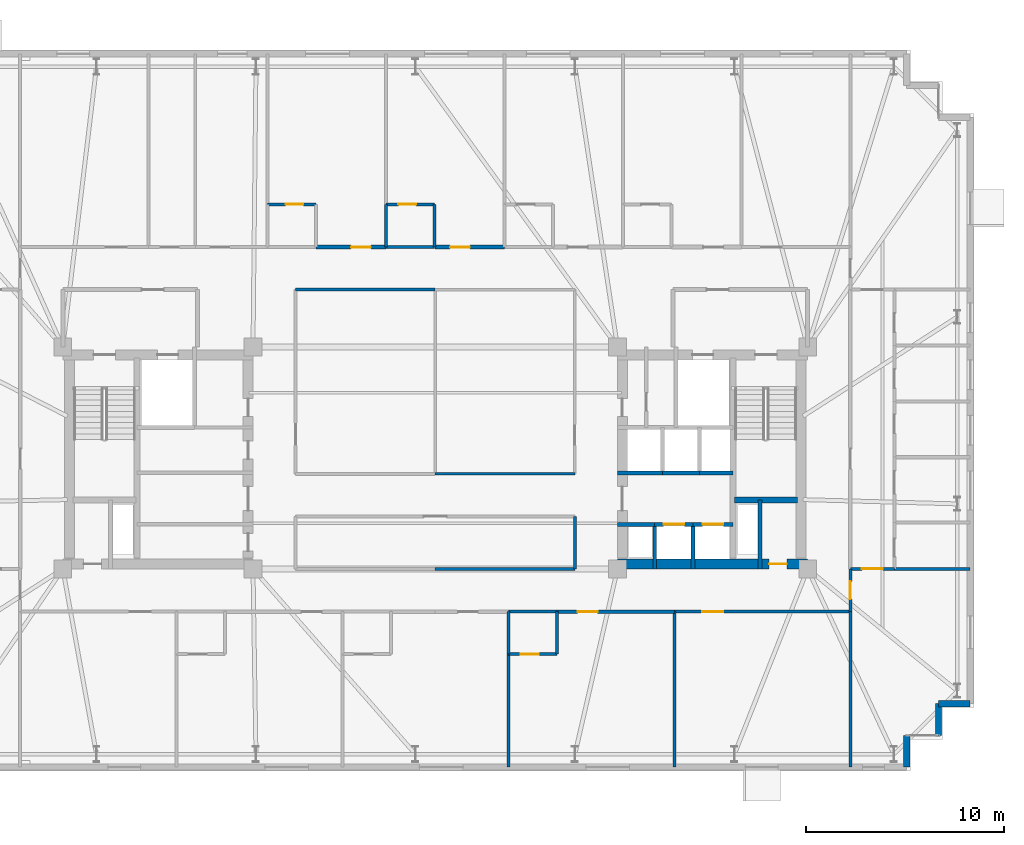
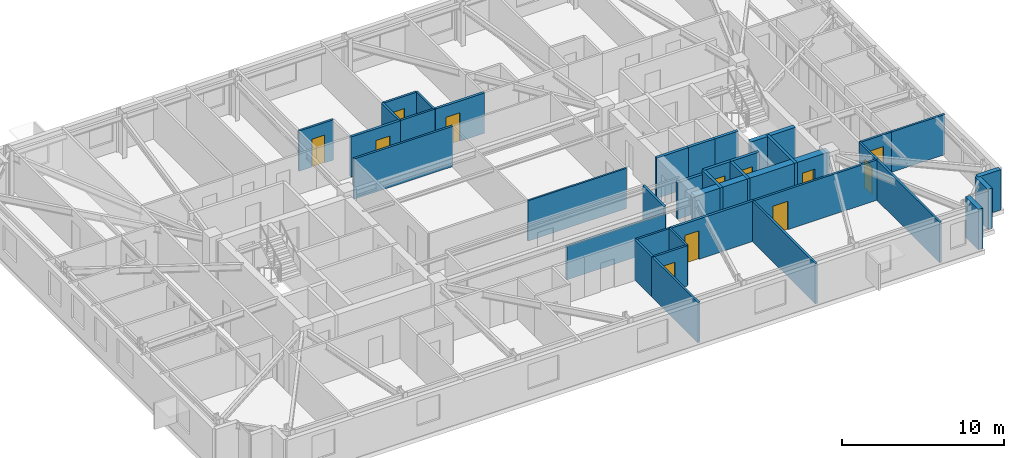
# One storey, part 13 of 19: 37 walls, 12 doors, 12 openings.
"""IFC4 building model written with IfcOpenShell, lengths in metres."""

from ifc_helpers import new_model, si_unit, direction, frame, frame_2d, origin, place, context, subcontext, project, spatial, rectangle, extrude, material, layer, layer_set, type_object, element, fill, save


model = new_model("IFC4")

# Units and contexts
model_context = context("Model", 3, precision=1e-05, world=origin(), true_north=direction((0.0, 1.0)))
body_context = subcontext(model_context, "Body", "Model", "MODEL_VIEW")
ifc_project = project(units=[si_unit("LENGTHUNIT", "METRE"), si_unit("AREAUNIT", "SQUARE_METRE"), si_unit("VOLUMEUNIT", "CUBIC_METRE"), si_unit("PLANEANGLEUNIT", "RADIAN"), si_unit("MASSUNIT", "GRAM", prefix="KILO")], contexts=[model_context])

# Site, building, storey
site_placement = place(None, origin())
site = spatial("IfcSite", under=ifc_project, at=site_placement, CompositionType="ELEMENT")
building_placement = place(site_placement, origin())
building = spatial("IfcBuilding", under=site, at=building_placement, Name="Qobustan Lattice House", CompositionType="ELEMENT")
storey_placement = place(building_placement, frame((0.0, 0.0, 137.699951171875)))
storey = spatial("IfcBuildingStorey", under=building, at=storey_placement, Name="L38", CompositionType="ELEMENT", Elevation=137.699951171875)

# Wall, opening, door
ifc_material_1 = material(Name="Concrete C50/60", Category="concrete")
ifc_layer_1 = layer(ifc_material_1, 0.5)
ifc_layer_set_1 = layer_set([ifc_layer_1], Name="Concrete C50/60")
wall_type_1 = type_object("IfcWallType", Name="WAL-CORE-500", PredefinedType="SHEAR", material=ifc_layer_set_1)
wall_1_placement = place(storey_placement, frame((9.199951171875, -5.35009765625, 0.0), z_axis=(0.0, 0.0, 1.0), x_axis=(1.0, 0.0, 0.0)))
wall_1 = element("IfcWall", 1, at=wall_1_placement, inside=storey, type_object=wall_type_1, Name="L38 split-core shear wall CE-S", PredefinedType="SHEAR", context=body_context, shape_type="SweptSolid", body=[
    extrude(rectangle(XDim=9.60009765625, YDim=0.5, at=frame_2d((4.800048828125, 0.0))), origin(), (0.0, 0.0, 1.0), 3.0400390625),
])
opening_1_placement = place(wall_1_placement, frame((7.64990234375, 0.0, 0.0)))
opening_1 = element("IfcOpeningElement", 2, at=opening_1_placement, cuts=wall_1, Name="Opening RD-01", PredefinedType="OPENING", context=body_context, shape_type="SweptSolid", body=[
    extrude(rectangle(XDim=0.89990234375, YDim=2.10009765625, at=frame_2d((0.449951171875, 1.050048828125))), frame((0.0, 0.260009765625, 0.0), z_axis=(0.0, -1.0, 0.0), x_axis=(1.0, 0.0, 0.0)), (0.0, 0.0, 1.0), 0.52001953125),
])
ifc_material_2 = material(Name="Persian walnut timber and steel frame door", Category="steel")
door_type_1 = type_object("IfcDoorType", Name="DOR-RISER-FD-900x2100", OperationType="NOTDEFINED", PredefinedType="DOOR", material=ifc_material_2)
door_1_placement = place(opening_1_placement, origin())
door_1 = element("IfcDoor", 3, at=door_1_placement, inside=storey, type_object=door_type_1, Name="L38 core service riser access door E", OperationType="SINGLE_SWING_RIGHT", OverallHeight=2.10009765625, OverallWidth=0.89990234375, PredefinedType="DOOR", context=body_context, shape_type="SweptSolid", body=[
    extrude(rectangle(XDim=0.89990234375, YDim=2.10009765625, at=frame_2d((0.449951171875, 1.050048828125))), frame((0.0, 0.02490234375, 0.0), z_axis=(0.0, -1.0, 0.0), x_axis=(1.0, 0.0, 0.0)), (0.0, 0.0, 1.0), 0.050048828125),
])
fill(opening_1, door_1)

# Walls
ifc_material_3 = material(Name="Concrete C50/60", Category="concrete")
ifc_layer_2 = layer(ifc_material_3, 0.280029296875)
ifc_layer_set_2 = layer_set([ifc_layer_2], Name="Concrete C50/60")
wall_type_2 = type_object("IfcWallType", Name="WAL-CORE-SPINE-280", PredefinedType="SHEAR", material=ifc_layer_set_2)
wall_2_placement = place(storey_placement, frame((15.10009765625, -2.110107421875, 0.0), z_axis=(0.0, 0.0, 1.0), x_axis=(1.0, 0.0, 0.0)))
element("IfcWall", 4, at=wall_2_placement, inside=storey, type_object=wall_type_2, Name="L38 split-core shear wall CE-ST", PredefinedType="SHEAR", context=body_context, shape_type="SweptSolid", body=[
    extrude(rectangle(XDim=3.179931640625, YDim=0.300048828125, at=frame_2d((1.58984375, 0.0))), origin(), (0.0, 0.0, 1.0), 3.0400390625),
])
ifc_material_4 = material(Name="Precast concrete C40/50", Category="concrete")
ifc_layer_3 = layer(ifc_material_4, 0.320068359375)
ifc_layer_set_3 = layer_set([ifc_layer_3], Name="Precast concrete C40/50")
wall_type_3 = type_object("IfcWallType", Name="WAL-EXT-STONE-320", PredefinedType="SOLIDWALL", material=ifc_layer_set_3)
for number, where, z_axis, x_axis, name in (
    (5, (27.0, -12.39990234375, 0.0), (0.0, 0.0, 1.0), (-1.0, 0.0, 0.0), "L38 exterior limestone-clad wall 16"),
    (6, (25.39990234375, -12.39990234375, 0.0), (0.0, 0.0, 1.0), (0.0, -1.0, 0.0), "L38 exterior limestone-clad wall 17"),
    (7, (23.800048828125, -14.0, 0.0), (0.0, 0.0, 1.0), (0.0, -1.0, 0.0), "L38 exterior limestone-clad wall 19"),
):
    element("IfcWall", number, at=place(storey_placement, frame(where, z_axis=z_axis, x_axis=x_axis)), inside=storey, type_object=wall_type_3, Name=name, PredefinedType="SOLIDWALL", context=body_context, shape_type="SweptSolid", body=[
        extrude(rectangle(XDim=1.60009765625, YDim=0.320068359375, at=frame_2d((0.800048828125, 0.0))), origin(), (0.0, 0.0, 1.0), 3.0400390625),
    ])

# Wall, opening, door
ifc_material_5 = material(Name="Gypsum fireboard acoustic partition", Category="gypsum")
ifc_layer_4 = layer(ifc_material_5, 0.179931640625)
ifc_layer_set_4 = layer_set([ifc_layer_4], Name="Gypsum fireboard acoustic partition")
wall_type_4 = type_object("IfcWallType", Name="WAL-FIRE-180", PredefinedType="PARTITIONING", material=ifc_layer_set_4)
wall_3_placement = place(storey_placement, frame((-6.029052734375, 10.64990234375, 0.0), z_axis=(0.0, 0.0, 1.0), x_axis=(1.0, 0.0, 0.0)))
wall_3 = element("IfcWall", 8, at=wall_3_placement, inside=storey, type_object=wall_type_4, Name="L38 interior partition 35", PredefinedType="PARTITIONING", context=body_context, shape_type="SweptSolid", body=[
    extrude(rectangle(XDim=3.5361328125, YDim=0.179931640625, at=frame_2d((1.76806640625, 0.0))), origin(), (0.0, 0.0, 1.0), 3.0400390625),
])
opening_2_placement = place(wall_3_placement, frame((1.783935546875, 0.0, 0.0)))
opening_2 = element("IfcOpeningElement", 9, at=opening_2_placement, cuts=wall_3, Name="Opening FD-02", PredefinedType="OPENING", context=body_context, shape_type="SweptSolid", body=[
    extrude(rectangle(XDim=1.0, YDim=2.14990234375, at=frame_2d((0.5, 1.074951171875))), frame((0.0, 0.099853515625, 0.0), z_axis=(0.0, -1.0, 0.0), x_axis=(1.0, 0.0, 0.0)), (0.0, 0.0, 1.0), 0.199951171875),
])
ifc_material_6 = material(Name="Persian walnut timber and steel frame door", Category="steel")
door_type_2 = type_object("IfcDoorType", Name="DOR-UNIT-FD-1000x2150", OperationType="NOTDEFINED", PredefinedType="DOOR", material=ifc_material_6)
door_2_placement = place(opening_2_placement, origin())
door_2 = element("IfcDoor", 10, at=door_2_placement, inside=storey, type_object=door_type_2, Name="L38 North-west floor corridor to Kitchenette and studio apartment L38-N3 door", OperationType="SINGLE_SWING_RIGHT", OverallHeight=2.14990234375, OverallWidth=1.0, PredefinedType="DOOR", context=body_context, shape_type="SweptSolid", body=[
    extrude(rectangle(XDim=1.0, YDim=2.14990234375, at=frame_2d((0.5, 1.074951171875))), frame((0.0, 0.02490234375, 0.0), z_axis=(0.0, -1.0, 0.0), x_axis=(1.0, 0.0, 0.0)), (0.0, 0.0, 1.0), 0.050048828125),
])
fill(opening_2, door_2)

wall_4_placement = place(storey_placement, frame((0.0, 10.64990234375, 0.0), z_axis=(0.0, 0.0, 1.0), x_axis=(1.0, 0.0, 0.0)))
wall_4 = element("IfcWall", 11, at=wall_4_placement, inside=storey, type_object=wall_type_4, Name="L38 interior partition 40", PredefinedType="PARTITIONING", context=body_context, shape_type="SweptSolid", body=[
    extrude(rectangle(XDim=3.492919921875, YDim=0.179931640625, at=frame_2d((1.74658203125, 0.0))), origin(), (0.0, 0.0, 1.0), 3.0400390625),
])
opening_3_placement = place(wall_4_placement, frame((0.74658203125, 0.0, 0.0)))
opening_3 = element("IfcOpeningElement", 12, at=opening_3_placement, cuts=wall_4, Name="Opening FD-02", PredefinedType="OPENING", context=body_context, shape_type="SweptSolid", body=[
    extrude(rectangle(XDim=1.0, YDim=2.14990234375, at=frame_2d((0.5, 1.074951171875))), frame((0.0, 0.099853515625, 0.0), z_axis=(0.0, -1.0, 0.0), x_axis=(1.0, 0.0, 0.0)), (0.0, 0.0, 1.0), 0.199951171875),
])
door_3_placement = place(opening_3_placement, origin())
door_3 = element("IfcDoor", 13, at=door_3_placement, inside=storey, type_object=door_type_2, Name="L38 North-east floor corridor to Kitchenette and studio apartment L38-N4 door", OperationType="SINGLE_SWING_RIGHT", OverallHeight=2.14990234375, OverallWidth=1.0, PredefinedType="DOOR", context=body_context, shape_type="SweptSolid", body=[
    extrude(rectangle(XDim=1.0, YDim=2.14990234375, at=frame_2d((0.5, 1.074951171875))), frame((0.0, 0.02490234375, 0.0), z_axis=(0.0, -1.0, 0.0), x_axis=(1.0, 0.0, 0.0)), (0.0, 0.0, 1.0), 0.050048828125),
])
fill(opening_3, door_3)

wall_5_placement = place(storey_placement, frame((12.070068359375, -7.75, 0.0), z_axis=(0.0, 0.0, 1.0), x_axis=(-1.0, 0.0, 0.0)))
wall_5 = element("IfcWall", 14, at=wall_5_placement, inside=storey, type_object=wall_type_4, Name="L38 interior partition 56", PredefinedType="PARTITIONING", context=body_context, shape_type="SweptSolid", body=[
    extrude(rectangle(XDim=5.93017578125, YDim=0.179931640625, at=frame_2d((2.965087890625, 0.0))), origin(), (0.0, 0.0, 1.0), 3.0400390625),
])
opening_4_placement = place(wall_5_placement, frame((3.87890625, 0.0, 0.0)))
opening_4 = element("IfcOpeningElement", 15, at=opening_4_placement, cuts=wall_5, Name="Opening FD-02", PredefinedType="OPENING", context=body_context, shape_type="SweptSolid", body=[
    extrude(rectangle(XDim=1.0, YDim=2.14990234375, at=frame_2d((0.5, 1.074951171875))), frame((0.0, 0.099853515625, 0.0), z_axis=(0.0, -1.0, 0.0), x_axis=(1.0, 0.0, 0.0)), (0.0, 0.0, 1.0), 0.199951171875),
])
door_4_placement = place(opening_4_placement, origin())
door_4 = element("IfcDoor", 16, at=door_4_placement, inside=storey, type_object=door_type_2, Name="L38 South-east floor corridor to Kitchenette and studio apartment L38-S4 door", OperationType="SINGLE_SWING_LEFT", OverallHeight=2.14990234375, OverallWidth=1.0, PredefinedType="DOOR", context=body_context, shape_type="SweptSolid", body=[
    extrude(rectangle(XDim=1.0, YDim=2.14990234375, at=frame_2d((0.5, 1.074951171875))), frame((0.0, 0.02490234375, 0.0), z_axis=(0.0, -1.0, 0.0), x_axis=(1.0, 0.0, 0.0)), (0.0, 0.0, 1.0), 0.050048828125),
])
fill(opening_4, door_4)

# Walls
ifc_material_7 = material(Name="Lightweight acoustic stud partition", Category="gypsum")
ifc_layer_5 = layer(ifc_material_7, 0.125)
ifc_layer_set_5 = layer_set([ifc_layer_5], Name="Lightweight acoustic stud partition")
wall_type_5 = type_object("IfcWallType", Name="WAL-PART-125", PredefinedType="PARTITIONING", material=ifc_layer_set_5)
wall_6_placement = place(storey_placement, frame((0.0, -0.800048828125, 0.0), z_axis=(0.0, 0.0, 1.0), x_axis=(1.0, 0.0, 0.0)))
element("IfcWall", 17, at=wall_6_placement, inside=storey, type_object=wall_type_5, Name="L38 interior partition 63", PredefinedType="PARTITIONING", context=body_context, shape_type="SweptSolid", body=[
    extrude(rectangle(XDim=7.050048828125, YDim=0.125, at=frame_2d((3.52490234375, 0.0))), origin(), (0.0, 0.0, 1.0), 3.0400390625),
])
ifc_material_8 = material(Name="Acoustic twin-stud gypsum partition", Category="gypsum")
ifc_layer_6 = layer(ifc_material_8, 0.14990234375)
ifc_layer_set_6 = layer_set([ifc_layer_6], Name="Acoustic twin-stud gypsum partition")
wall_type_6 = type_object("IfcWallType", Name="WAL-PART-150", PredefinedType="PARTITIONING", material=ifc_layer_set_6)
wall_7_placement = place(storey_placement, frame((0.0, 8.5, 0.0), z_axis=(0.0, 0.0, 1.0), x_axis=(-1.0, 0.0, 0.0)))
element("IfcWall", 18, at=wall_7_placement, inside=storey, type_object=wall_type_6, Name="L38 interior partition 38", PredefinedType="PARTITIONING", context=body_context, shape_type="SweptSolid", body=[
    extrude(rectangle(XDim=7.050048828125, YDim=0.14990234375, at=frame_2d((3.52490234375, 0.0))), origin(), (0.0, 0.0, 1.0), 3.0400390625),
])

# Wall, opening, door
wall_8_placement = place(storey_placement, frame((20.949951171875, -5.60009765625, 0.0), z_axis=(0.0, 0.0, 1.0), x_axis=(0.0, -1.0, 0.0)))
wall_8 = element("IfcWall", 19, at=wall_8_placement, inside=storey, type_object=wall_type_6, Name="L38 interior partition 54", PredefinedType="PARTITIONING", context=body_context, shape_type="SweptSolid", body=[
    extrude(rectangle(XDim=2.14990234375, YDim=0.14990234375, at=frame_2d((1.074951171875, 0.0))), origin(), (0.0, 0.0, 1.0), 3.0400390625),
])
opening_5_placement = place(wall_8_placement, frame((0.625, 0.0, 0.0)))
opening_5 = element("IfcOpeningElement", 20, at=opening_5_placement, cuts=wall_8, Name="Opening WD-01", PredefinedType="OPENING", context=body_context, shape_type="SweptSolid", body=[
    extrude(rectangle(XDim=0.89990234375, YDim=2.10009765625, at=frame_2d((0.449951171875, 1.050048828125))), frame((0.0, 0.0849609375, 0.0), z_axis=(0.0, -1.0, 0.0), x_axis=(1.0, 0.0, 0.0)), (0.0, 0.0, 1.0), 0.169921875),
])
ifc_material_9 = material(Name="Persian walnut timber and steel frame door", Category="steel")
door_type_3 = type_object("IfcDoorType", Name="DOR-WET-900x2100", OperationType="NOTDEFINED", PredefinedType="DOOR", material=ifc_material_9)
door_5_placement = place(opening_5_placement, origin())
door_5 = element("IfcDoor", 21, at=door_5_placement, inside=storey, type_object=door_type_3, Name="L38 South-east floor corridor to Reading study room L38ES door", OperationType="SINGLE_SWING_LEFT", OverallHeight=2.10009765625, OverallWidth=0.89990234375, PredefinedType="DOOR", context=body_context, shape_type="SweptSolid", body=[
    extrude(rectangle(XDim=0.89990234375, YDim=2.10009765625, at=frame_2d((0.449951171875, 1.050048828125))), frame((0.0, 0.02490234375, 0.0), z_axis=(0.0, -1.0, 0.0), x_axis=(1.0, 0.0, 0.0)), (0.0, 0.0, 1.0), 0.050048828125),
])
fill(opening_5, door_5)

wall_9_placement = place(storey_placement, frame((20.949951171875, -7.75, 0.0), z_axis=(0.0, 0.0, 1.0), x_axis=(-1.0, 0.0, 0.0)))
wall_9 = element("IfcWall", 22, at=wall_9_placement, inside=storey, type_object=wall_type_6, Name="L38 interior partition 58", PredefinedType="PARTITIONING", context=body_context, shape_type="SweptSolid", body=[
    extrude(rectangle(XDim=8.8798828125, YDim=0.14990234375, at=frame_2d((4.43994140625, 0.0))), origin(), (0.0, 0.0, 1.0), 3.0400390625),
])
opening_6_placement = place(wall_9_placement, frame((6.416259765625, 0.0, 0.0)))
opening_6 = element("IfcOpeningElement", 23, at=opening_6_placement, cuts=wall_9, Name="Opening ID-02", PredefinedType="OPENING", context=body_context, shape_type="SweptSolid", body=[
    extrude(rectangle(XDim=1.050048828125, YDim=2.14990234375, at=frame_2d((0.52490234375, 1.074951171875))), frame((0.0, 0.0849609375, 0.0), z_axis=(0.0, -1.0, 0.0), x_axis=(1.0, 0.0, 0.0)), (0.0, 0.0, 1.0), 0.169921875),
])
ifc_material_10 = material(Name="Persian walnut timber and steel frame door", Category="steel")
door_type_4 = type_object("IfcDoorType", Name="DOR-STUDY-1050x2150", OperationType="NOTDEFINED", PredefinedType="DOOR", material=ifc_material_10)
door_6_placement = place(opening_6_placement, origin())
door_6 = element("IfcDoor", 24, at=door_6_placement, inside=storey, type_object=door_type_4, Name="L38 South-east floor corridor to Group study room door", OperationType="SINGLE_SWING_RIGHT", OverallHeight=2.14990234375, OverallWidth=1.050048828125, PredefinedType="DOOR", context=body_context, shape_type="SweptSolid", body=[
    extrude(rectangle(XDim=1.050048828125, YDim=2.14990234375, at=frame_2d((0.52490234375, 1.074951171875))), frame((0.0, 0.02490234375, 0.0), z_axis=(0.0, -1.0, 0.0), x_axis=(1.0, 0.0, 0.0)), (0.0, 0.0, 1.0), 0.050048828125),
])
fill(opening_6, door_6)

wall_10_placement = place(storey_placement, frame((23.179931640625, -5.60009765625, 0.0), z_axis=(0.0, 0.0, 1.0), x_axis=(-1.0, 0.0, 0.0)))
wall_10 = element("IfcWall", 25, at=wall_10_placement, inside=storey, type_object=wall_type_6, Name="L38 interior partition 87", PredefinedType="PARTITIONING", context=body_context, shape_type="SweptSolid", body=[
    extrude(rectangle(XDim=2.22998046875, YDim=0.14990234375, at=frame_2d((1.114990234375, 0.0))), origin(), (0.0, 0.0, 1.0), 3.0400390625),
])
opening_7_placement = place(wall_10_placement, frame((0.590087890625, 0.0, 0.0)))
opening_7 = element("IfcOpeningElement", 26, at=opening_7_placement, cuts=wall_10, Name="Opening ID-02", PredefinedType="OPENING", context=body_context, shape_type="SweptSolid", body=[
    extrude(rectangle(XDim=1.050048828125, YDim=2.14990234375, at=frame_2d((0.52490234375, 1.074951171875))), frame((0.0, 0.0849609375, 0.0), z_axis=(0.0, -1.0, 0.0), x_axis=(1.0, 0.0, 0.0)), (0.0, 0.0, 1.0), 0.169921875),
])
door_7_placement = place(opening_7_placement, origin())
door_7 = element("IfcDoor", 27, at=door_7_placement, inside=storey, type_object=door_type_4, Name="L38 Residence entrance hall L38E to Reading study room L38ES door", OperationType="SINGLE_SWING_LEFT", OverallHeight=2.14990234375, OverallWidth=1.050048828125, PredefinedType="DOOR", context=body_context, shape_type="SweptSolid", body=[
    extrude(rectangle(XDim=1.050048828125, YDim=2.14990234375, at=frame_2d((0.52490234375, 1.074951171875))), frame((0.0, 0.02490234375, 0.0), z_axis=(0.0, -1.0, 0.0), x_axis=(1.0, 0.0, 0.0)), (0.0, 0.0, 1.0), 0.050048828125),
])
fill(opening_7, door_7)

# Walls
wall_11_placement = place(storey_placement, frame((20.949951171875, -15.60009765625, 0.0), z_axis=(0.0, 0.0, 1.0), x_axis=(0.0, 1.0, 0.0)))
element("IfcWall", 28, at=wall_11_placement, inside=storey, type_object=wall_type_6, Name="L38 interior partition 96", PredefinedType="PARTITIONING", context=body_context, shape_type="SweptSolid", body=[
    extrude(rectangle(XDim=7.85009765625, YDim=0.14990234375, at=frame_2d((3.925048828125, 0.0))), origin(), (0.0, 0.0, 1.0), 3.0400390625),
])
wall_12_placement = place(storey_placement, frame((3.68994140625, -9.89990234375, 0.0), z_axis=(0.0, 0.0, 1.0), x_axis=(0.0, -1.0, 0.0)))
element("IfcWall", 29, at=wall_12_placement, inside=storey, type_object=wall_type_6, Name="L38 interior partition 128", PredefinedType="PARTITIONING", context=body_context, shape_type="SweptSolid", body=[
    extrude(rectangle(XDim=5.7001953125, YDim=0.14990234375, at=frame_2d((2.85009765625, 0.0))), origin(), (0.0, 0.0, 1.0), 3.0400390625),
])
wall_13_placement = place(storey_placement, frame((12.070068359375, -7.75, 0.0), z_axis=(0.0, 0.0, 1.0), x_axis=(0.0, -1.0, 0.0)))
element("IfcWall", 30, at=wall_13_placement, inside=storey, type_object=wall_type_6, Name="L38 interior partition 132", PredefinedType="PARTITIONING", context=body_context, shape_type="SweptSolid", body=[
    extrude(rectangle(XDim=7.85009765625, YDim=0.14990234375, at=frame_2d((3.925048828125, 0.0))), origin(), (0.0, 0.0, 1.0), 3.0400390625),
])
ifc_material_11 = material(Name="High-mass acoustic twin-stud partition", Category="gypsum")
ifc_layer_7 = layer(ifc_material_11, 0.1650390625)
ifc_layer_set_7 = layer_set([ifc_layer_7], Name="High-mass acoustic twin-stud partition")
wall_type_7 = type_object("IfcWallType", Name="WAL-PART-165", PredefinedType="PARTITIONING", material=ifc_layer_set_7)
wall_14_placement = place(storey_placement, frame((0.0, -5.60009765625, 0.0), z_axis=(0.0, 0.0, 1.0), x_axis=(1.0, 0.0, 0.0)))
element("IfcWall", 31, at=wall_14_placement, inside=storey, type_object=wall_type_7, Name="L38 interior partition 59", PredefinedType="PARTITIONING", context=body_context, shape_type="SweptSolid", body=[
    extrude(rectangle(XDim=7.050048828125, YDim=0.1650390625, at=frame_2d((3.52490234375, 0.0))), origin(), (0.0, 0.0, 1.0), 2.525146484375),
])
wall_15_placement = place(storey_placement, frame((7.050048828125, -5.60009765625, 0.0), z_axis=(0.0, 0.0, 1.0), x_axis=(0.0, 1.0, 0.0)))
element("IfcWall", 32, at=wall_15_placement, inside=storey, type_object=wall_type_7, Name="L38 interior partition 68", PredefinedType="PARTITIONING", context=body_context, shape_type="SweptSolid", body=[
    extrude(rectangle(XDim=2.650146484375, YDim=0.1650390625, at=frame_2d((1.3251953125, 0.0))), origin(), (0.0, 0.0, 1.0), 3.0400390625),
])
ifc_material_12 = material(Name="Concrete C40/50", Category="concrete")
ifc_layer_8 = layer(ifc_material_12, 0.199951171875)
ifc_layer_set_8 = layer_set([ifc_layer_8], Name="Concrete C40/50")
wall_type_8 = type_object("IfcWallType", Name="WAL-SHAFT-200", PredefinedType="PARTITIONING", material=ifc_layer_set_8)
wall_16_placement = place(storey_placement, frame((16.39990234375, -2.110107421875, 0.0), z_axis=(0.0, 0.0, 1.0), x_axis=(0.0, -1.0, 0.0)))
element("IfcWall", 33, at=wall_16_placement, inside=storey, type_object=wall_type_8, Name="L38 interior partition 13", PredefinedType="PARTITIONING", context=body_context, shape_type="SweptSolid", body=[
    extrude(rectangle(XDim=3.489990234375, YDim=0.199951171875, at=frame_2d((1.7451171875, 0.0))), origin(), (0.0, 0.0, 1.0), 3.0400390625),
])
wall_17_placement = place(storey_placement, frame((9.199951171875, -3.35009765625, 0.0), z_axis=(0.0, 0.0, 1.0), x_axis=(1.0, 0.0, 0.0)))
element("IfcWall", 34, at=wall_17_placement, inside=storey, type_object=wall_type_8, Name="L38 interior partition 20", PredefinedType="PARTITIONING", context=body_context, shape_type="SweptSolid", body=[
    extrude(rectangle(XDim=1.880126953125, YDim=0.199951171875, at=frame_2d((0.93994140625, 0.0))), origin(), (0.0, 0.0, 1.0), 2.755126953125),
])

# Wall, opening, door
wall_18_placement = place(storey_placement, frame((11.080078125, -3.35009765625, 0.0), z_axis=(0.0, 0.0, 1.0), x_axis=(1.0, 0.0, 0.0)))
wall_18 = element("IfcWall", 35, at=wall_18_placement, inside=storey, type_object=wall_type_8, Name="L38 interior partition 21", PredefinedType="PARTITIONING", context=body_context, shape_type="SweptSolid", body=[
    extrude(rectangle(XDim=1.93994140625, YDim=0.199951171875, at=frame_2d((0.969970703125, 0.0))), origin(), (0.0, 0.0, 1.0), 3.0400390625),
])
opening_8_placement = place(wall_18_placement, frame((0.445068359375, 0.0, 0.0)))
opening_8 = element("IfcOpeningElement", 36, at=opening_8_placement, cuts=wall_18, Name="Opening LD-01", PredefinedType="OPENING", context=body_context, shape_type="SweptSolid", body=[
    extrude(rectangle(XDim=1.050048828125, YDim=2.10009765625, at=frame_2d((0.52490234375, 1.050048828125))), frame((0.0, 0.10986328125, 0.0), z_axis=(0.0, -1.0, 0.0), x_axis=(1.0, 0.0, 0.0)), (0.0, 0.0, 1.0), 0.219970703125),
])
ifc_material_13 = material(Name="Persian walnut timber and steel frame door", Category="steel")
door_type_5 = type_object("IfcDoorType", Name="DOR-LIFT-LD-1050x2100", OperationType="NOTDEFINED", PredefinedType="DOOR", material=ifc_material_13)
door_8_placement = place(opening_8_placement, origin())
door_8 = element("IfcDoor", 37, at=door_8_placement, inside=storey, type_object=door_type_5, Name="L38 lift landing door", OperationType="DOUBLE_DOOR_SLIDING", OverallHeight=2.10009765625, OverallWidth=1.050048828125, PredefinedType="DOOR", context=body_context, shape_type="SweptSolid", body=[
    extrude(rectangle(XDim=1.050048828125, YDim=2.10009765625, at=frame_2d((0.52490234375, 1.050048828125))), frame((0.0, 0.02490234375, 0.0), z_axis=(0.0, -1.0, 0.0), x_axis=(1.0, 0.0, 0.0)), (0.0, 0.0, 1.0), 0.050048828125),
])
fill(opening_8, door_8)

wall_19_placement = place(storey_placement, frame((13.02001953125, -3.35009765625, 0.0), z_axis=(0.0, 0.0, 1.0), x_axis=(1.0, 0.0, 0.0)))
wall_19 = element("IfcWall", 38, at=wall_19_placement, inside=storey, type_object=wall_type_8, Name="L38 interior partition 22", PredefinedType="PARTITIONING", context=body_context, shape_type="SweptSolid", body=[
    extrude(rectangle(XDim=2.0, YDim=0.199951171875, at=frame_2d((1.0, 0.0))), origin(), (0.0, 0.0, 1.0), 3.0400390625),
])
opening_9_placement = place(wall_19_placement, frame((0.47509765625, 0.0, 0.0)))
opening_9 = element("IfcOpeningElement", 39, at=opening_9_placement, cuts=wall_19, Name="Opening LD-01", PredefinedType="OPENING", context=body_context, shape_type="SweptSolid", body=[
    extrude(rectangle(XDim=1.050048828125, YDim=2.10009765625, at=frame_2d((0.52490234375, 1.050048828125))), frame((0.0, 0.10986328125, 0.0), z_axis=(0.0, -1.0, 0.0), x_axis=(1.0, 0.0, 0.0)), (0.0, 0.0, 1.0), 0.219970703125),
])
door_9_placement = place(opening_9_placement, origin())
door_9 = element("IfcDoor", 40, at=door_9_placement, inside=storey, type_object=door_type_5, Name="L38 lift landing door", OperationType="DOUBLE_DOOR_SLIDING", OverallHeight=2.10009765625, OverallWidth=1.050048828125, PredefinedType="DOOR", context=body_context, shape_type="SweptSolid", body=[
    extrude(rectangle(XDim=1.050048828125, YDim=2.10009765625, at=frame_2d((0.52490234375, 1.050048828125))), frame((0.0, 0.02490234375, 0.0), z_axis=(0.0, -1.0, 0.0), x_axis=(1.0, 0.0, 0.0)), (0.0, 0.0, 1.0), 0.050048828125),
])
fill(opening_9, door_9)

# Walls
wall_20_placement = place(storey_placement, frame((11.4599609375, -0.75, 0.0), z_axis=(0.0, 0.0, 1.0), x_axis=(-1.0, 0.0, 0.0)))
element("IfcWall", 41, at=wall_20_placement, inside=storey, type_object=wall_type_8, Name="L38 interior partition 23", PredefinedType="PARTITIONING", context=body_context, shape_type="SweptSolid", body=[
    extrude(rectangle(XDim=2.260009765625, YDim=0.199951171875, at=frame_2d((1.1298828125, 0.0))), origin(), (0.0, 0.0, 1.0), 3.0400390625),
])
wall_21_placement = place(storey_placement, frame((13.340087890625, -0.75, 0.0), z_axis=(0.0, 0.0, 1.0), x_axis=(-1.0, 0.0, 0.0)))
element("IfcWall", 42, at=wall_21_placement, inside=storey, type_object=wall_type_8, Name="L38 interior partition 24", PredefinedType="PARTITIONING", context=body_context, shape_type="SweptSolid", body=[
    extrude(rectangle(XDim=1.880126953125, YDim=0.199951171875, at=frame_2d((0.93994140625, 0.0))), origin(), (0.0, 0.0, 1.0), 3.0400390625),
])
wall_22_placement = place(storey_placement, frame((15.02001953125, -0.75, 0.0), z_axis=(0.0, 0.0, 1.0), x_axis=(-1.0, 0.0, 0.0)))
element("IfcWall", 43, at=wall_22_placement, inside=storey, type_object=wall_type_8, Name="L38 interior partition 25", PredefinedType="PARTITIONING", context=body_context, shape_type="SweptSolid", body=[
    extrude(rectangle(XDim=1.679931640625, YDim=0.199951171875, at=frame_2d((0.83984375, 0.0))), origin(), (0.0, 0.0, 1.0), 3.0400390625),
])
for number, where, z_axis, x_axis, name in (
    (44, (11.080078125, -5.60009765625, 0.0), (0.0, 0.0, 1.0), (0.0, 1.0, 0.0), "L38 interior partition 27"),
    (45, (13.02001953125, -5.60009765625, 0.0), (0.0, 0.0, 1.0), (0.0, 1.0, 0.0), "L38 interior partition 28"),
):
    element("IfcWall", number, at=place(storey_placement, frame(where, z_axis=z_axis, x_axis=x_axis)), inside=storey, type_object=wall_type_8, Name=name, PredefinedType="PARTITIONING", context=body_context, shape_type="SweptSolid", body=[
        extrude(rectangle(XDim=2.25, YDim=0.199951171875, at=frame_2d((1.125, 0.0))), origin(), (0.0, 0.0, 1.0), 3.0400390625),
    ])
ifc_material_14 = material(Name="Moisture-resistant acoustic plumbing wall", Category="gypsum")
ifc_layer_9 = layer(ifc_material_14, 0.14990234375)
ifc_layer_set_9 = layer_set([ifc_layer_9], Name="Moisture-resistant acoustic plumbing wall")
wall_type_9 = type_object("IfcWallType", Name="WAL-WET-150", PredefinedType="PLUMBINGWALL", material=ifc_layer_set_9)
for number, where, z_axis, x_axis, name in (
    (46, (-2.492919921875, 10.64990234375, 0.0), (0.0, 0.0, 1.0), (1.0, 0.0, 0.0), "L38 interior partition 37"),
    (47, (6.139892578125, -7.75, 0.0), (0.0, 0.0, 1.0), (-1.0, 0.0, 0.0), "L38 interior partition 57"),
):
    element("IfcWall", number, at=place(storey_placement, frame(where, z_axis=z_axis, x_axis=x_axis)), inside=storey, type_object=wall_type_9, Name=name, PredefinedType="PLUMBINGWALL", context=body_context, shape_type="SweptSolid", body=[
        extrude(rectangle(XDim=2.449951171875, YDim=0.14990234375, at=frame_2d((1.22509765625, 0.0))), origin(), (0.0, 0.0, 1.0), 3.0400390625),
    ])
wall_23_placement = place(storey_placement, frame((23.179931640625, -5.60009765625, 0.0), z_axis=(0.0, 0.0, 1.0), x_axis=(1.0, 0.0, 0.0)))
element("IfcWall", 48, at=wall_23_placement, inside=storey, type_object=wall_type_9, Name="L38 interior partition 95", PredefinedType="PLUMBINGWALL", context=body_context, shape_type="SweptSolid", body=[
    extrude(rectangle(XDim=3.820068359375, YDim=0.14990234375, at=frame_2d((1.91015625, 0.0))), origin(), (0.0, 0.0, 1.0), 3.0400390625),
])

# Wall, opening, door
wall_24_placement = place(storey_placement, frame((-6.029052734375, 12.800048828125, 0.0), z_axis=(0.0, 0.0, 1.0), x_axis=(-1.0, 0.0, 0.0)))
wall_24 = element("IfcWall", 49, at=wall_24_placement, inside=storey, type_object=wall_type_9, Name="L38 interior partition 105", PredefinedType="PLUMBINGWALL", context=body_context, shape_type="SweptSolid", body=[
    extrude(rectangle(XDim=2.449951171875, YDim=0.14990234375, at=frame_2d((1.22509765625, 0.0))), origin(), (0.0, 0.0, 1.0), 3.0400390625),
])
opening_10_placement = place(wall_24_placement, frame((0.628662109375, 0.0, 0.0)))
opening_10 = element("IfcOpeningElement", 50, at=opening_10_placement, cuts=wall_24, Name="Opening WD-01", PredefinedType="OPENING", context=body_context, shape_type="SweptSolid", body=[
    extrude(rectangle(XDim=0.89990234375, YDim=2.10009765625, at=frame_2d((0.449951171875, 1.050048828125))), frame((0.0, 0.0849609375, 0.0), z_axis=(0.0, -1.0, 0.0), x_axis=(1.0, 0.0, 0.0)), (0.0, 0.0, 1.0), 0.169921875),
])
door_10_placement = place(opening_10_placement, origin())
door_10 = element("IfcDoor", 51, at=door_10_placement, inside=storey, type_object=door_type_3, Name="L38 Kitchenette and studio apartment L38-N3 to En-suite bathroom L38-N3 door", OperationType="SINGLE_SWING_LEFT", OverallHeight=2.10009765625, OverallWidth=0.89990234375, PredefinedType="DOOR", context=body_context, shape_type="SweptSolid", body=[
    extrude(rectangle(XDim=0.89990234375, YDim=2.10009765625, at=frame_2d((0.449951171875, 1.050048828125))), frame((0.0, 0.02490234375, 0.0), z_axis=(0.0, -1.0, 0.0), x_axis=(1.0, 0.0, 0.0)), (0.0, 0.0, 1.0), 0.050048828125),
])
fill(opening_10, door_10)

# Wall
wall_25_placement = place(storey_placement, frame((-2.492919921875, 12.800048828125, 0.0), z_axis=(0.0, 0.0, 1.0), x_axis=(0.0, -1.0, 0.0)))
element("IfcWall", 52, at=wall_25_placement, inside=storey, type_object=wall_type_9, Name="L38 interior partition 108", PredefinedType="PLUMBINGWALL", context=body_context, shape_type="SweptSolid", body=[
    extrude(rectangle(XDim=2.150146484375, YDim=0.14990234375, at=frame_2d((1.0751953125, 0.0))), origin(), (0.0, 0.0, 1.0), 3.0400390625),
])

# Wall, opening, door
wall_26_placement = place(storey_placement, frame((-0.04296875, 12.800048828125, 0.0), z_axis=(0.0, 0.0, 1.0), x_axis=(-1.0, 0.0, 0.0)))
wall_26 = element("IfcWall", 53, at=wall_26_placement, inside=storey, type_object=wall_type_9, Name="L38 interior partition 109", PredefinedType="PLUMBINGWALL", context=body_context, shape_type="SweptSolid", body=[
    extrude(rectangle(XDim=2.449951171875, YDim=0.14990234375, at=frame_2d((1.22509765625, 0.0))), origin(), (0.0, 0.0, 1.0), 3.0400390625),
])
opening_11_placement = place(wall_26_placement, frame((0.921142578125, 0.0, 0.0)))
opening_11 = element("IfcOpeningElement", 54, at=opening_11_placement, cuts=wall_26, Name="Opening WD-01", PredefinedType="OPENING", context=body_context, shape_type="SweptSolid", body=[
    extrude(rectangle(XDim=0.89990234375, YDim=2.10009765625, at=frame_2d((0.449951171875, 1.050048828125))), frame((0.0, 0.0849609375, 0.0), z_axis=(0.0, -1.0, 0.0), x_axis=(1.0, 0.0, 0.0)), (0.0, 0.0, 1.0), 0.169921875),
])
door_11_placement = place(opening_11_placement, origin())
door_11 = element("IfcDoor", 55, at=door_11_placement, inside=storey, type_object=door_type_3, Name="L38 Kitchenette and studio apartment L38-N4 to En-suite bathroom L38-N4 door", OperationType="SINGLE_SWING_RIGHT", OverallHeight=2.10009765625, OverallWidth=0.89990234375, PredefinedType="DOOR", context=body_context, shape_type="SweptSolid", body=[
    extrude(rectangle(XDim=0.89990234375, YDim=2.10009765625, at=frame_2d((0.449951171875, 1.050048828125))), frame((0.0, 0.02490234375, 0.0), z_axis=(0.0, -1.0, 0.0), x_axis=(1.0, 0.0, 0.0)), (0.0, 0.0, 1.0), 0.050048828125),
])
fill(opening_11, door_11)

# Walls
wall_27_placement = place(storey_placement, frame((-0.04296875, 10.64990234375, 0.0), z_axis=(0.0, 0.0, 1.0), x_axis=(0.0, 1.0, 0.0)))
element("IfcWall", 56, at=wall_27_placement, inside=storey, type_object=wall_type_9, Name="L38 interior partition 110", PredefinedType="PLUMBINGWALL", context=body_context, shape_type="SweptSolid", body=[
    extrude(rectangle(XDim=2.150146484375, YDim=0.14990234375, at=frame_2d((1.0751953125, 0.0))), origin(), (0.0, 0.0, 1.0), 3.0400390625),
])
wall_28_placement = place(storey_placement, frame((3.68994140625, -7.75, 0.0), z_axis=(0.0, 0.0, 1.0), x_axis=(0.0, -1.0, 0.0)))
element("IfcWall", 57, at=wall_28_placement, inside=storey, type_object=wall_type_9, Name="L38 interior partition 129", PredefinedType="PLUMBINGWALL", context=body_context, shape_type="SweptSolid", body=[
    extrude(rectangle(XDim=2.14990234375, YDim=0.14990234375, at=frame_2d((1.074951171875, 0.0))), origin(), (0.0, 0.0, 1.0), 3.0400390625),
])

# Wall, opening, door
wall_29_placement = place(storey_placement, frame((3.68994140625, -9.89990234375, 0.0), z_axis=(0.0, 0.0, 1.0), x_axis=(1.0, 0.0, 0.0)))
wall_29 = element("IfcWall", 58, at=wall_29_placement, inside=storey, type_object=wall_type_9, Name="L38 interior partition 130", PredefinedType="PLUMBINGWALL", context=body_context, shape_type="SweptSolid", body=[
    extrude(rectangle(XDim=2.449951171875, YDim=0.14990234375, at=frame_2d((1.22509765625, 0.0))), origin(), (0.0, 0.0, 1.0), 3.0400390625),
])
opening_12_placement = place(wall_29_placement, frame((0.628662109375, 0.0, 0.0)))
opening_12 = element("IfcOpeningElement", 59, at=opening_12_placement, cuts=wall_29, Name="Opening WD-01", PredefinedType="OPENING", context=body_context, shape_type="SweptSolid", body=[
    extrude(rectangle(XDim=0.89990234375, YDim=2.10009765625, at=frame_2d((0.449951171875, 1.050048828125))), frame((0.0, 0.0849609375, 0.0), z_axis=(0.0, -1.0, 0.0), x_axis=(1.0, 0.0, 0.0)), (0.0, 0.0, 1.0), 0.169921875),
])
door_12_placement = place(opening_12_placement, origin())
door_12 = element("IfcDoor", 60, at=door_12_placement, inside=storey, type_object=door_type_3, Name="L38 Kitchenette and studio apartment L38-S4 to En-suite bathroom L38-S4 door", OperationType="SINGLE_SWING_LEFT", OverallHeight=2.10009765625, OverallWidth=0.89990234375, PredefinedType="DOOR", context=body_context, shape_type="SweptSolid", body=[
    extrude(rectangle(XDim=0.89990234375, YDim=2.10009765625, at=frame_2d((0.449951171875, 1.050048828125))), frame((0.0, 0.02490234375, 0.0), z_axis=(0.0, -1.0, 0.0), x_axis=(1.0, 0.0, 0.0)), (0.0, 0.0, 1.0), 0.050048828125),
])
fill(opening_12, door_12)

# Wall
wall_30_placement = place(storey_placement, frame((6.139892578125, -9.89990234375, 0.0), z_axis=(0.0, 0.0, 1.0), x_axis=(0.0, 1.0, 0.0)))
element("IfcWall", 61, at=wall_30_placement, inside=storey, type_object=wall_type_9, Name="L38 interior partition 131", PredefinedType="PLUMBINGWALL", context=body_context, shape_type="SweptSolid", body=[
    extrude(rectangle(XDim=2.14990234375, YDim=0.14990234375, at=frame_2d((1.074951171875, 0.0))), origin(), (0.0, 0.0, 1.0), 3.0400390625),
])

save(model, "model.ifc")
